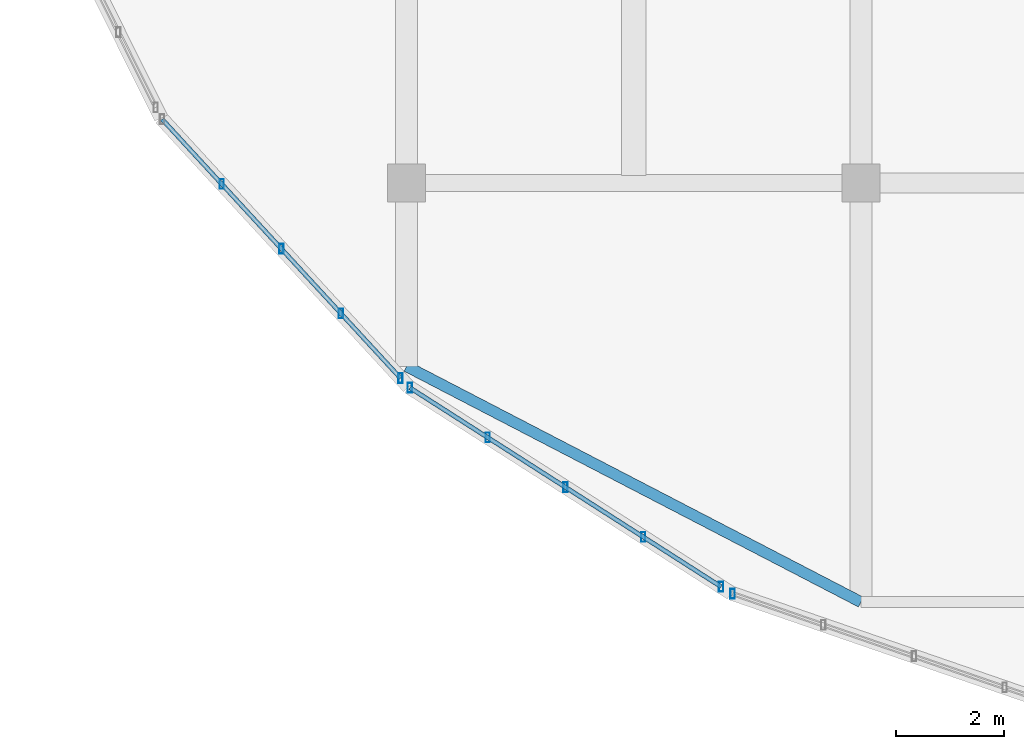
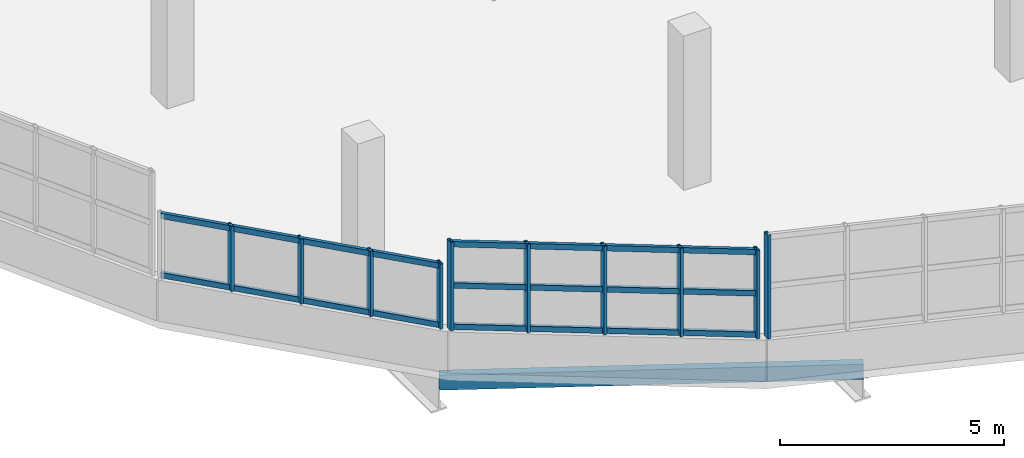
# One storey, part 3 of 52: 15 members, 1 beam, 3 elements without a shape of their own.
"""IFC4 building model written with IfcOpenShell, lengths in metres."""

from ifc_helpers import new_model, si_unit, direction, frame, origin, origin_2d, place, context, subcontext, project, spatial, hollow_rectangle, extrude, material, material_profile, profile_set, type_object, element, aggregate, save


model = new_model("IFC4")

# Units and contexts
model_context = context("Model", 3, precision=1e-05, world=origin(), true_north=direction((0.0, 1.0)))
body_context = subcontext(model_context, "Body", "Model", "MODEL_VIEW")
ifc_project = project(units=[si_unit("LENGTHUNIT", "METRE"), si_unit("AREAUNIT", "SQUARE_METRE"), si_unit("VOLUMEUNIT", "CUBIC_METRE"), si_unit("PLANEANGLEUNIT", "RADIAN"), si_unit("MASSUNIT", "GRAM", prefix="KILO")], contexts=[model_context])

# Site, building, storey
site_placement = place(None, origin())
site = spatial("IfcSite", under=ifc_project, at=site_placement, CompositionType="ELEMENT")
building_placement = place(site_placement, origin())
building = spatial("IfcBuilding", under=site, at=building_placement, Name="Solvento Point Concert Hall", CompositionType="ELEMENT")
storey_placement = place(building_placement, frame((0.0, 0.0, 19.5)))
storey = spatial("IfcBuildingStorey", under=building, at=storey_placement, Name="L04", CompositionType="ELEMENT", Elevation=19.5)

# Curtain wall, member
ifc_material_1 = material(Name="Anodized Bronze Aluminium", Category="aluminium")
curtain_wall_type = type_object("IfcCurtainWallType", Name="CurtainWall_RingRibbon_L03_04", PredefinedType="USERDEFINED", material=ifc_material_1)
curtain_wall_1_placement = place(storey_placement, origin())
curtain_wall_1 = element("IfcCurtainWall", 1, at=curtain_wall_1_placement, inside=storey, type_object=curtain_wall_type, Name="Unitised curtain wall CW-31 UCW-L04-210", ObjectType="UNITISED CURTAIN WALL", PredefinedType="USERDEFINED")
ifc_material_2 = material(Name="Anodized Bronze Aluminium", Category="aluminium")
ifc_material_profile_1 = material_profile(ifc_material_2, hollow_rectangle(XDim=0.080078125, YDim=0.179931640625, WallThickness=0.00390625, at=origin_2d()), Name="CW-MUL-80X180")
ifc_profile_set_1 = profile_set([ifc_material_profile_1], Name="Anodized Bronze Aluminium")
member_type_1 = type_object("IfcMemberType", Name="Mullion_80x180", PredefinedType="MULLION", material=ifc_profile_set_1)
member_1_placement = place(storey_placement, frame((46.828369140625, 9.405517578125, 1.1201171875), z_axis=(0.0, 0.0, 1.0), x_axis=(1.0, 0.0, 0.0)))
member_1 = element("IfcMember", 2, at=member_1_placement, type_object=member_type_1, Name="Curtain wall mullion ML-01", PredefinedType="MULLION", context=body_context, shape_type="SweptSolid", body=[
    extrude(hollow_rectangle(XDim=0.080078125, YDim=0.179931640625, WallThickness=0.00390625, at=origin_2d()), origin(), (0.0, 0.0, 1.0), 2.81982421875),
])
aggregate(curtain_wall_1, [member_1])

# Curtain wall, members
curtain_wall_2_placement = place(storey_placement, origin())
curtain_wall_2 = element("IfcCurtainWall", 3, at=curtain_wall_2_placement, inside=storey, type_object=curtain_wall_type, Name="Unitised curtain wall CW-31 UCW-L04-211", ObjectType="UNITISED CURTAIN WALL", PredefinedType="USERDEFINED")
member_2_placement = place(storey_placement, frame((46.61474609375, 9.533935546875, 1.1201171875), z_axis=(0.0, 0.0, 1.0), x_axis=(1.0, 0.0, 0.0)))
member_2 = element("IfcMember", 4, at=member_2_placement, type_object=member_type_1, Name="Curtain wall mullion ML-01", PredefinedType="MULLION", context=body_context, shape_type="SweptSolid", body=[
    extrude(hollow_rectangle(XDim=0.080078125, YDim=0.179931640625, WallThickness=0.00390625, at=origin_2d()), origin(), (0.0, 0.0, 1.0), 2.407470703125),
])
member_3_placement = place(storey_placement, frame((45.176025390625, 10.45361328125, 1.1201171875), z_axis=(0.0, 0.0, 1.0), x_axis=(1.0, 0.0, 0.0)))
member_3 = element("IfcMember", 5, at=member_3_placement, type_object=member_type_1, Name="Curtain wall mullion ML-01", PredefinedType="MULLION", context=body_context, shape_type="SweptSolid", body=[
    extrude(hollow_rectangle(XDim=0.080078125, YDim=0.179931640625, WallThickness=0.00390625, at=origin_2d()), origin(), (0.0, 0.0, 1.0), 2.407470703125),
])
member_4_placement = place(storey_placement, frame((43.737548828125, 11.37353515625, 1.1201171875), z_axis=(0.0, 0.0, 1.0), x_axis=(1.0, 0.0, 0.0)))
member_4 = element("IfcMember", 6, at=member_4_placement, type_object=member_type_1, Name="Curtain wall mullion ML-01", PredefinedType="MULLION", context=body_context, shape_type="SweptSolid", body=[
    extrude(hollow_rectangle(XDim=0.080078125, YDim=0.179931640625, WallThickness=0.00390625, at=origin_2d()), origin(), (0.0, 0.0, 1.0), 2.407470703125),
])
member_5_placement = place(storey_placement, frame((42.299072265625, 12.29345703125, 1.1201171875), z_axis=(0.0, 0.0, 1.0), x_axis=(1.0, 0.0, 0.0)))
member_5 = element("IfcMember", 7, at=member_5_placement, type_object=member_type_1, Name="Curtain wall mullion ML-01", PredefinedType="MULLION", context=body_context, shape_type="SweptSolid", body=[
    extrude(hollow_rectangle(XDim=0.080078125, YDim=0.179931640625, WallThickness=0.00390625, at=origin_2d()), origin(), (0.0, 0.0, 1.0), 2.407470703125),
])
member_6_placement = place(storey_placement, frame((40.860595703125, 13.213134765625, 1.1201171875), z_axis=(0.0, 0.0, 1.0), x_axis=(1.0, 0.0, 0.0)))
member_6 = element("IfcMember", 8, at=member_6_placement, type_object=member_type_1, Name="Curtain wall mullion ML-01", PredefinedType="MULLION", context=body_context, shape_type="SweptSolid", body=[
    extrude(hollow_rectangle(XDim=0.080078125, YDim=0.179931640625, WallThickness=0.00390625, at=origin_2d()), origin(), (0.0, 0.0, 1.0), 2.407470703125),
])

curtain_wall_3_placement = place(storey_placement, origin())
curtain_wall_3 = element("IfcCurtainWall", 9, at=curtain_wall_3_placement, inside=storey, type_object=curtain_wall_type, Name="Unitised curtain wall CW-31 UCW-L04-212", ObjectType="UNITISED CURTAIN WALL", PredefinedType="USERDEFINED")
member_7_placement = place(storey_placement, frame((40.686279296875, 13.39111328125, 1.1201171875), z_axis=(0.0, 0.0, 1.0), x_axis=(1.0, 0.0, 0.0)))
member_7 = element("IfcMember", 10, at=member_7_placement, type_object=member_type_1, Name="Curtain wall mullion ML-01", PredefinedType="MULLION", context=body_context, shape_type="SweptSolid", body=[
    extrude(hollow_rectangle(XDim=0.080078125, YDim=0.179931640625, WallThickness=0.00390625, at=origin_2d()), origin(), (0.0, 0.0, 1.0), 1.77197265625),
])
member_8_placement = place(storey_placement, frame((39.58447265625, 14.587890625, 1.1201171875), z_axis=(0.0, 0.0, 1.0), x_axis=(1.0, 0.0, 0.0)))
member_8 = element("IfcMember", 11, at=member_8_placement, type_object=member_type_1, Name="Curtain wall mullion ML-01", PredefinedType="MULLION", context=body_context, shape_type="SweptSolid", body=[
    extrude(hollow_rectangle(XDim=0.080078125, YDim=0.179931640625, WallThickness=0.00390625, at=origin_2d()), origin(), (0.0, 0.0, 1.0), 1.77197265625),
])
member_9_placement = place(storey_placement, frame((38.482666015625, 15.78466796875, 1.1201171875), z_axis=(0.0, 0.0, 1.0), x_axis=(1.0, 0.0, 0.0)))
member_9 = element("IfcMember", 12, at=member_9_placement, type_object=member_type_1, Name="Curtain wall mullion ML-01", PredefinedType="MULLION", context=body_context, shape_type="SweptSolid", body=[
    extrude(hollow_rectangle(XDim=0.080078125, YDim=0.179931640625, WallThickness=0.00390625, at=origin_2d()), origin(), (0.0, 0.0, 1.0), 1.77197265625),
])
member_10_placement = place(storey_placement, frame((37.380615234375, 16.981201171875, 1.1201171875), z_axis=(0.0, 0.0, 1.0), x_axis=(1.0, 0.0, 0.0)))
member_10 = element("IfcMember", 13, at=member_10_placement, type_object=member_type_1, Name="Curtain wall mullion ML-01", PredefinedType="MULLION", context=body_context, shape_type="SweptSolid", body=[
    extrude(hollow_rectangle(XDim=0.080078125, YDim=0.179931640625, WallThickness=0.00390625, at=origin_2d()), origin(), (0.0, 0.0, 1.0), 1.77197265625),
])

# Beam
ifc_material_3 = material(Name="Structural Steel ASTM A500 Grade C", Category="steel")
ifc_material_profile_2 = material_profile(ifc_material_3, hollow_rectangle(XDim=0.203125, YDim=0.406494140625, WallThickness=0.01171875, at=origin_2d()), Name="HSS16X8X1/2")
ifc_profile_set_2 = profile_set([ifc_material_profile_2], Name="Structural Steel ASTM A500 Grade C")
beam_type = type_object("IfcBeamType", Name="RingBeam_HSS16X8", PredefinedType="SPANDREL", material=ifc_profile_set_2)
beam_placement = place(storey_placement, frame((40.800048828125, 13.60888671875, -0.497314453125), z_axis=(0.887608455746, -0.460598772565, 0.0), x_axis=(0.460598772565, 0.887608455746, 0.0)))
element("IfcBeam", 14, at=beam_placement, inside=storey, type_object=beam_type, Name="Elliptical perimeter ring beam RB-01 L04", PredefinedType="SPANDREL", context=body_context, shape_type="SweptSolid", body=[
    extrude(hollow_rectangle(XDim=0.203125, YDim=0.406494140625, WallThickness=0.01171875, at=origin_2d()), origin(), (0.0, 0.0, 1.0), 9.463623046875),
])

# Member
ifc_material_4 = material(Name="Anodized Bronze Aluminium", Category="aluminium")
ifc_material_profile_3 = material_profile(ifc_material_4, hollow_rectangle(XDim=0.080078125, YDim=0.14990234375, WallThickness=0.00390625, at=origin_2d()), Name="CW-TRN-80X150")
ifc_profile_set_3 = profile_set([ifc_material_profile_3], Name="Anodized Bronze Aluminium")
member_type_2 = type_object("IfcMemberType", Name="Transom_80x150", PredefinedType="USERDEFINED", material=ifc_profile_set_3)
member_11_placement = place(storey_placement, frame((46.61474609375, 9.533935546875, 1.199951171875), z_axis=(-0.84250113822, 0.5386945629, 0.0), x_axis=(-0.5386945629, -0.84250113822, 0.0)))
member_11 = element("IfcMember", 15, at=member_11_placement, type_object=member_type_2, Name="Curtain wall transom TR-01", ObjectType="TRANSOM", PredefinedType="USERDEFINED", context=body_context, shape_type="SweptSolid", body=[
    extrude(hollow_rectangle(XDim=0.080078125, YDim=0.14990234375, WallThickness=0.00390625, at=origin_2d()), origin(), (0.0, 0.0, 1.0), 6.829833984375),
])

member_12_placement = place(storey_placement, frame((46.61474609375, 9.533935546875, 2.32373046875), z_axis=(-0.84250113822, 0.5386945629, 0.0), x_axis=(-0.5386945629, -0.84250113822, 0.0)))
member_12 = element("IfcMember", 16, at=member_12_placement, type_object=member_type_2, Name="Curtain wall transom TR-01", ObjectType="TRANSOM", PredefinedType="USERDEFINED", context=body_context, shape_type="SweptSolid", body=[
    extrude(hollow_rectangle(XDim=0.080078125, YDim=0.14990234375, WallThickness=0.00390625, at=origin_2d()), origin(), (0.0, 0.0, 1.0), 6.829833984375),
])

member_13_placement = place(storey_placement, frame((46.61474609375, 9.533935546875, 3.447509765625), z_axis=(-0.84250113822, 0.5386945629, 0.0), x_axis=(-0.5386945629, -0.84250113822, 0.0)))
member_13 = element("IfcMember", 17, at=member_13_placement, type_object=member_type_2, Name="Curtain wall transom TR-01", ObjectType="TRANSOM", PredefinedType="USERDEFINED", context=body_context, shape_type="SweptSolid", body=[
    extrude(hollow_rectangle(XDim=0.080078125, YDim=0.14990234375, WallThickness=0.00390625, at=origin_2d()), origin(), (0.0, 0.0, 1.0), 6.829833984375),
])

aggregate(curtain_wall_2, [member_2, member_3, member_4, member_5, member_6, member_11, member_12, member_13])

member_14_placement = place(storey_placement, frame((40.686279296875, 13.39111328125, 1.199951171875), z_axis=(-0.677352346042, 0.735658751944, 0.0), x_axis=(-0.735658751944, -0.677352346042, 0.0)))
member_14 = element("IfcMember", 18, at=member_14_placement, type_object=member_type_2, Name="Curtain wall transom TR-01", ObjectType="TRANSOM", PredefinedType="USERDEFINED", context=body_context, shape_type="SweptSolid", body=[
    extrude(hollow_rectangle(XDim=0.080078125, YDim=0.14990234375, WallThickness=0.00390625, at=origin_2d()), origin(), (0.0, 0.0, 1.0), 6.5068359375),
])

member_15_placement = place(storey_placement, frame((40.686279296875, 13.39111328125, 2.81201171875), z_axis=(-0.677352346042, 0.735658751944, 0.0), x_axis=(-0.735658751944, -0.677352346042, 0.0)))
member_15 = element("IfcMember", 19, at=member_15_placement, type_object=member_type_2, Name="Curtain wall transom TR-01", ObjectType="TRANSOM", PredefinedType="USERDEFINED", context=body_context, shape_type="SweptSolid", body=[
    extrude(hollow_rectangle(XDim=0.080078125, YDim=0.14990234375, WallThickness=0.00390625, at=origin_2d()), origin(), (0.0, 0.0, 1.0), 6.5068359375),
])

aggregate(curtain_wall_3, [member_7, member_8, member_9, member_10, member_14, member_15])

save(model, "model.ifc")
